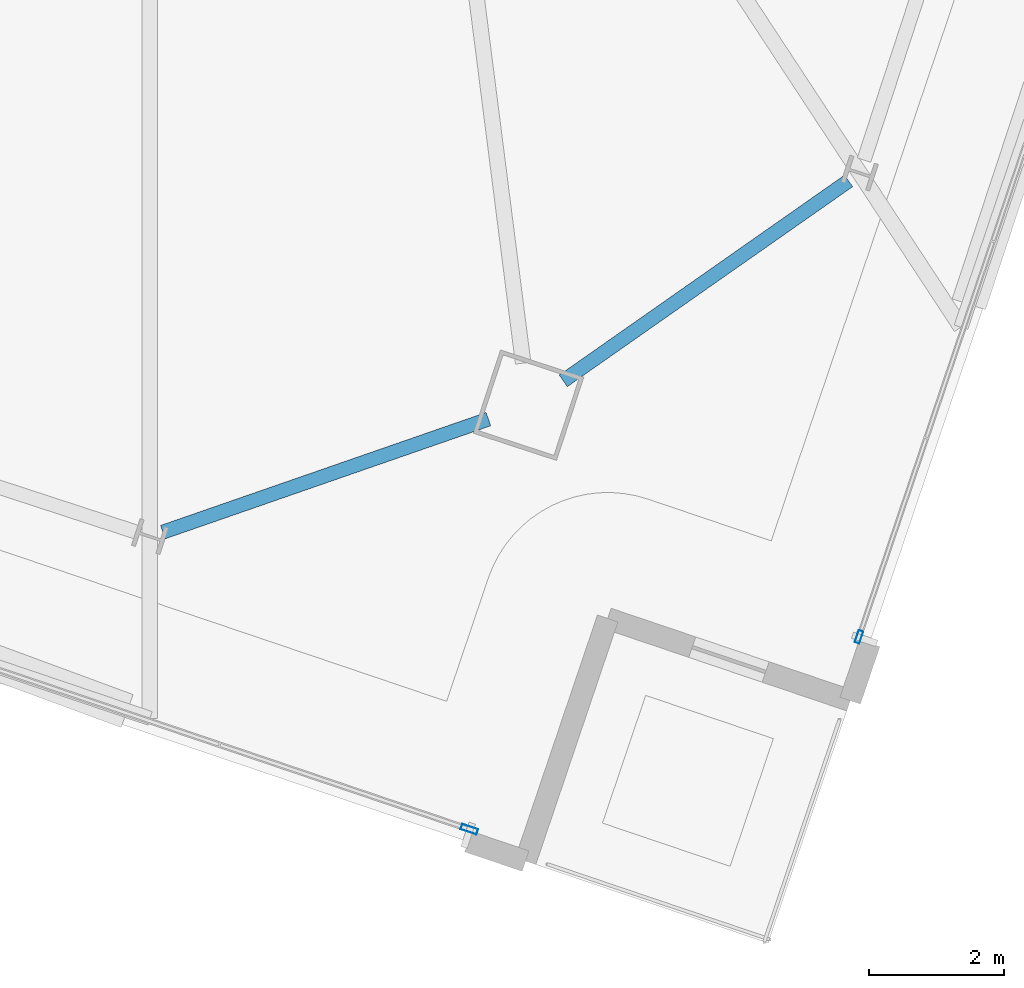
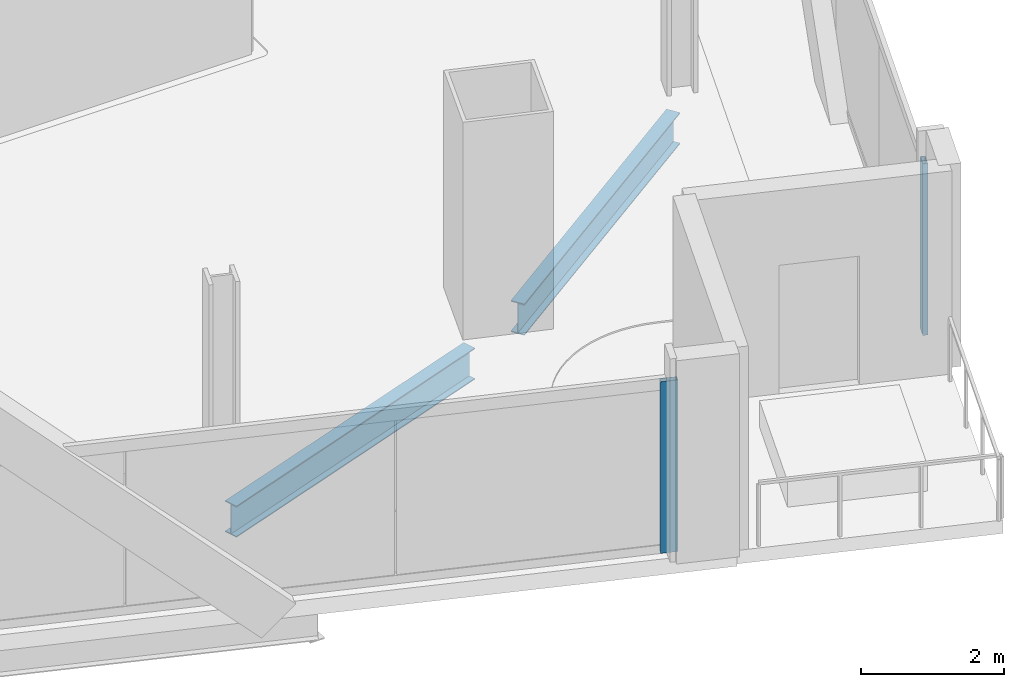
# One storey, part 7 of 29: 2 beams, 2 members, 2 elements without a shape of their own.
"""IFC4 building model written with IfcOpenShell, lengths in metres."""

from ifc_helpers import new_model, si_unit, direction, frame, origin, origin_2d, place, context, subcontext, project, spatial, hollow_rectangle, i_section, extrude, material, material_profile, profile_set, type_object, element, aggregate, save


model = new_model("IFC4")

# Units and contexts
model_context = context("Model", 3, precision=1e-05, world=origin(), true_north=direction((0.0, 1.0)))
body_context = subcontext(model_context, "Body", "Model", "MODEL_VIEW")
ifc_project = project(units=[si_unit("LENGTHUNIT", "METRE"), si_unit("AREAUNIT", "SQUARE_METRE"), si_unit("VOLUMEUNIT", "CUBIC_METRE"), si_unit("PLANEANGLEUNIT", "RADIAN"), si_unit("MASSUNIT", "GRAM", prefix="KILO")], contexts=[model_context])

# Site, building, storey
site_placement = place(None, origin())
site = spatial("IfcSite", under=ifc_project, at=site_placement, CompositionType="ELEMENT")
building_placement = place(site_placement, origin())
building = spatial("IfcBuilding", under=site, at=building_placement, Name="Haldenkirk Collegiate Tower", CompositionType="ELEMENT")
storey_placement = place(building_placement, frame((0.0, 0.0, 267.449951171875)))
storey = spatial("IfcBuildingStorey", under=building, at=storey_placement, Name="L67", CompositionType="ELEMENT", Elevation=267.449951171875)

# Beams
ifc_material_1 = material(Name="Steel ASTM A992 Grade 50", Category="steel")
ifc_material_profile_1 = material_profile(ifc_material_1, i_section(OverallWidth=0.2099609375, OverallDepth=0.537109375, WebThickness=0.010986328125, FlangeThickness=0.017333984375, at=origin_2d()), Name="W21X68")
ifc_profile_set_1 = profile_set([ifc_material_profile_1], Name="Steel ASTM A992 Grade 50")
beam_type = type_object("IfcBeamType", Name="BM-SPANDREL-W21X68", PredefinedType="SPANDREL", material=ifc_profile_set_1)
beam_1_placement = place(storey_placement, frame((47.243896484375, 4.805908203125, -0.538330078125), z_axis=(0.818943373955, 0.573874333156, 0.0), x_axis=(-0.573874333156, 0.818943373955, 0.0)))
element("IfcBeam", 1, at=beam_1_placement, inside=storey, type_object=beam_type, Name="L67 perimeter spandrel beam 01", PredefinedType="SPANDREL", context=body_context, shape_type="SweptSolid", body=[
    extrude(i_section(OverallWidth=0.2099609375, OverallDepth=0.537109375, WebThickness=0.010986328125, FlangeThickness=0.017333984375, at=origin_2d()), origin(), (0.0, 0.0, 1.0), 5.16943359375),
])
beam_2_placement = place(storey_placement, frame((41.302490234375, 2.56103515625, -0.538330078125), z_axis=(0.944700169719, 0.327935343221, 0.0), x_axis=(-0.327935343221, 0.944700169719, 0.0)))
element("IfcBeam", 2, at=beam_2_placement, inside=storey, type_object=beam_type, Name="L67 perimeter spandrel beam 16", PredefinedType="SPANDREL", context=body_context, shape_type="SweptSolid", body=[
    extrude(i_section(OverallWidth=0.2099609375, OverallDepth=0.537109375, WebThickness=0.010986328125, FlangeThickness=0.017333984375, at=origin_2d()), origin(), (0.0, 0.0, 1.0), 5.113037109375),
])

# Curtain wall, member
ifc_material_2 = material(Name="Anodised architectural bronze aluminium", Category="aluminium")
curtain_wall_type_1 = type_object("IfcCurtainWallType", Name="CW-SYS2-CONCAVE", PredefinedType="USERDEFINED", material=ifc_material_2)
curtain_wall_1_placement = place(storey_placement, origin())
curtain_wall_1 = element("IfcCurtainWall", 3, at=curtain_wall_1_placement, inside=storey, type_object=curtain_wall_type_1, Name="L67 South concave recessed bronze-anodised curtain wall", ObjectType="UNITISED CURTAIN WALL", PredefinedType="USERDEFINED")
ifc_material_profile_2 = material_profile(ifc_material_2, hollow_rectangle(XDim=0.074951171875, YDim=0.18994140625, WallThickness=0.0048828125, at=origin_2d()), Name="CW-MUL-02")
ifc_profile_set_2 = profile_set([ifc_material_profile_2], Name="Anodised architectural bronze aluminium")
member_type_1 = type_object("IfcMemberType", Name="CW-MUL-02", PredefinedType="MULLION", material=ifc_profile_set_2)
member_1_placement = place(storey_placement, frame((51.6318359375, 1.00634765625, 0.0), z_axis=(0.0, 0.0, 1.0), x_axis=(0.947210310666, -0.320612893328, 0.0)))
member_1 = element("IfcMember", 4, at=member_1_placement, type_object=member_type_1, Name="CW-02 mullion 5", PredefinedType="MULLION", context=body_context, shape_type="SweptSolid", body=[
    extrude(hollow_rectangle(XDim=0.074951171875, YDim=0.18994140625, WallThickness=0.0048828125, at=origin_2d()), origin(), (0.0, 0.0, 1.0), 2.93798828125),
])
aggregate(curtain_wall_1, [member_1])

curtain_wall_type_2 = type_object("IfcCurtainWallType", Name="CW-SYS1B-CONVEX-HI", PredefinedType="USERDEFINED", material=ifc_material_2)
curtain_wall_2_placement = place(storey_placement, origin())
curtain_wall_2 = element("IfcCurtainWall", 5, at=curtain_wall_2_placement, inside=storey, type_object=curtain_wall_type_2, Name="L67 Upper tower high-wind convex bronze unitised curtain wall", ObjectType="UNITISED CURTAIN WALL", PredefinedType="USERDEFINED")
ifc_material_profile_3 = material_profile(ifc_material_2, hollow_rectangle(XDim=0.0849609375, YDim=0.25, WallThickness=0.0048828125, at=origin_2d()), Name="CW-MUL-1B")
ifc_profile_set_3 = profile_set([ifc_material_profile_3], Name="Anodised architectural bronze aluminium")
member_type_2 = type_object("IfcMemberType", Name="CW-MUL-1B", PredefinedType="MULLION", material=ifc_profile_set_3)
member_2_placement = place(storey_placement, frame((45.84912109375, -1.84765625, 0.0), z_axis=(0.0, 0.0, 1.0), x_axis=(-0.320611036427, -0.94721093919, 0.0)))
member_2 = element("IfcMember", 6, at=member_2_placement, type_object=member_type_2, Name="CW-1B mullion 1", PredefinedType="MULLION", context=body_context, shape_type="SweptSolid", body=[
    extrude(hollow_rectangle(XDim=0.0849609375, YDim=0.25, WallThickness=0.0048828125, at=origin_2d()), origin(), (0.0, 0.0, 1.0), 2.93798828125),
])
aggregate(curtain_wall_2, [member_2])

save(model, "model.ifc")
